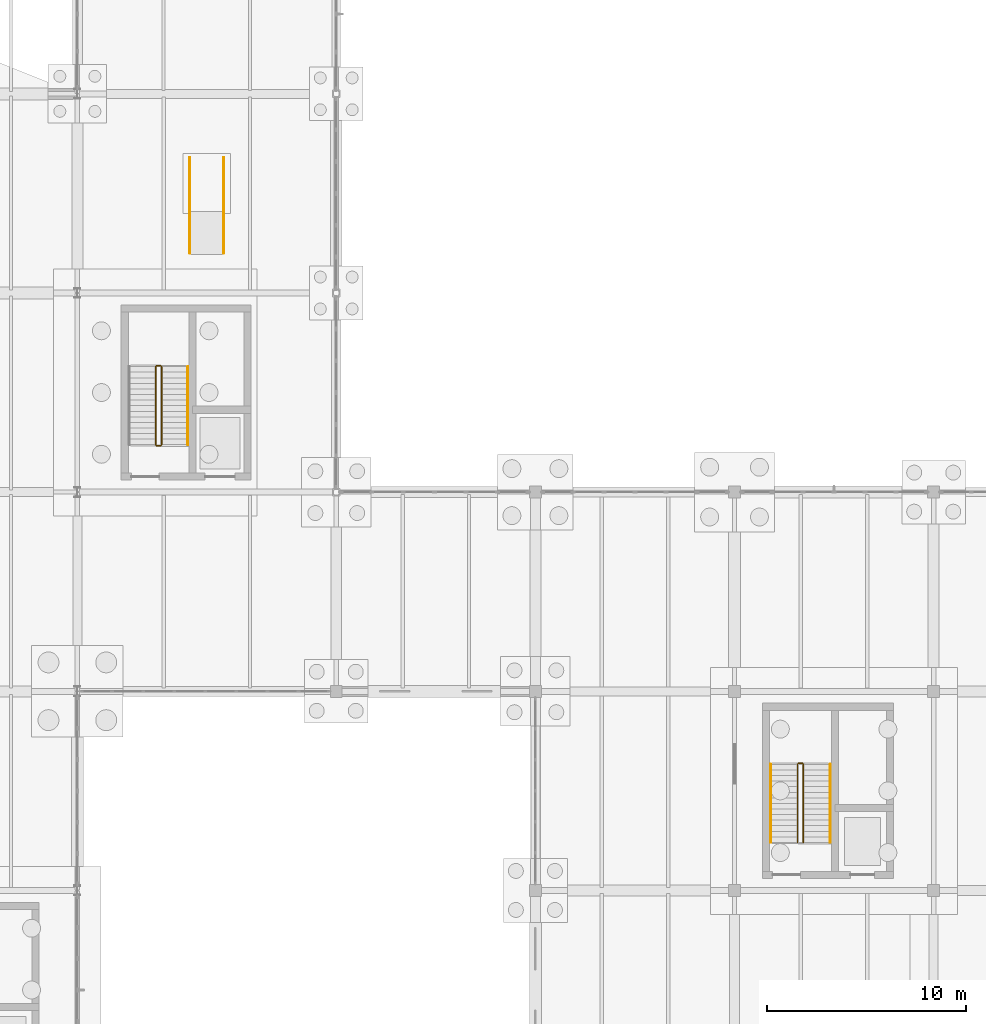
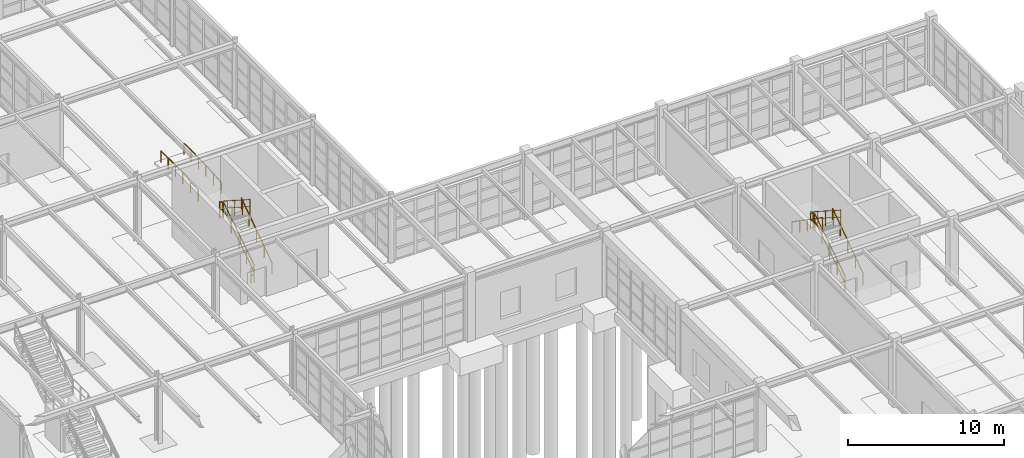
# One storey, part 142 of 145: 12 railings.
"""IFC4 building model written with IfcOpenShell, lengths in metres."""

from ifc_helpers import new_model, si_unit, direction, frame, origin, origin_2d, place, context, subcontext, project, spatial, circle, extrude, material, type_object, element, save


model = new_model("IFC4")

# Units and contexts
model_context = context("Model", 3, precision=1e-05, world=origin(), true_north=direction((0.0, 1.0)))
body_context = subcontext(model_context, "Body", "Model", "MODEL_VIEW")
ifc_project = project(units=[si_unit("LENGTHUNIT", "METRE"), si_unit("AREAUNIT", "SQUARE_METRE"), si_unit("VOLUMEUNIT", "CUBIC_METRE"), si_unit("PLANEANGLEUNIT", "RADIAN"), si_unit("MASSUNIT", "GRAM", prefix="KILO"), si_unit("THERMODYNAMICTEMPERATUREUNIT", "KELVIN"), si_unit("POWERUNIT", "WATT")], contexts=[model_context])

# Site, building, storey
site_placement = place(None, origin())
site = spatial("IfcSite", under=ifc_project, at=site_placement, CompositionType="ELEMENT")
building_placement = place(site_placement, origin())
building = spatial("IfcBuilding", under=site, at=building_placement, Name="Korenveer Ferry Terminal", CompositionType="ELEMENT")
storey_placement = place(building_placement, origin())
storey = spatial("IfcBuildingStorey", under=building, at=storey_placement, Name="L00", CompositionType="ELEMENT", Elevation=0.0)

# Railings
ifc_material_1 = material(Name="Brushed stainless steel handrail", Category="steel")
railing_type_1 = type_object("IfcRailingType", Name="INT-RL-HND90", PredefinedType="HANDRAIL", material=ifc_material_1)
railing_1_placement = place(storey_placement, frame((160.81005859375, 62.409912109375, 0.179931640625)))
element("IfcRailing", 1, at=railing_1_placement, inside=storey, type_object=railing_type_1, Name="L00 ST04 stair handrail 1", PredefinedType="HANDRAIL", context=body_context, shape_type="SweptSolid", body=[
    extrude(circle(Radius=0.02392578125, at=origin_2d()), frame((0.0, 0.0, 0.8759765625), z_axis=(0.0, 0.823567234665, 0.567218661528), x_axis=(-1.0, 0.0, 0.0)), (0.0, 0.0, 1.0), 4.760009765625),
    extrude(circle(Radius=0.02099609375, at=origin_2d()), origin(), (0.0, 0.0, 1.0), 0.851806640625),
    extrude(circle(Radius=0.02099609375, at=origin_2d()), frame((0.0, 0.97998046875, 0.675048828125)), (0.0, 0.0, 1.0), 0.851806640625),
    extrude(circle(Radius=0.02099609375, at=origin_2d()), frame((0.0, 1.9599609375, 1.35009765625)), (0.0, 0.0, 1.0), 0.851806640625),
    extrude(circle(Radius=0.02099609375, at=origin_2d()), frame((0.0, 2.940185546875, 2.02490234375)), (0.0, 0.0, 1.0), 0.851806640625),
    extrude(circle(Radius=0.02099609375, at=origin_2d()), frame((0.0, 3.920166015625, 2.699951171875)), (0.0, 0.0, 1.0), 0.851806640625),
])
railing_2_placement = place(storey_placement, frame((157.81005859375, 66.330078125, 2.8798828125)))
element("IfcRailing", 2, at=railing_2_placement, inside=storey, type_object=railing_type_1, Name="L00 ST04 stair handrail 2", PredefinedType="HANDRAIL", context=body_context, shape_type="SweptSolid", body=[
    extrude(circle(Radius=0.02392578125, at=origin_2d()), frame((0.0, 0.0, 0.8759765625), z_axis=(0.0, -0.82354327477, 0.567253448276), x_axis=(1.0, 0.0, 0.0)), (0.0, 0.0, 1.0), 4.760009765625),
    extrude(circle(Radius=0.02099609375, at=origin_2d()), origin(), (0.0, 0.0, 1.0), 0.851806640625),
    extrude(circle(Radius=0.02099609375, at=origin_2d()), frame((0.0, -0.97998046875, 0.675048828125)), (0.0, 0.0, 1.0), 0.851806640625),
    extrude(circle(Radius=0.02099609375, at=origin_2d()), frame((0.0, -1.9599609375, 1.35009765625)), (0.0, 0.0, 1.0), 0.851806640625),
    extrude(circle(Radius=0.02099609375, at=origin_2d()), frame((0.0, -2.940185546875, 2.025146484375)), (0.0, 0.0, 1.0), 0.851806640625),
    extrude(circle(Radius=0.02099609375, at=origin_2d()), frame((0.0, -3.920166015625, 2.7001953125)), (0.0, 0.0, 1.0), 0.851806640625),
])
railing_3_placement = place(storey_placement, frame((128.550048828125, 82.3798828125, 0.179931640625)))
element("IfcRailing", 3, at=railing_3_placement, inside=storey, type_object=railing_type_1, Name="L00 ST08 stair handrail 1", PredefinedType="HANDRAIL", context=body_context, shape_type="SweptSolid", body=[
    extrude(circle(Radius=0.02392578125, at=origin_2d()), frame((0.0, 0.0, 0.8759765625), z_axis=(0.0, 0.823567234665, 0.567218661528), x_axis=(-1.0, 0.0, 0.0)), (0.0, 0.0, 1.0), 4.760009765625),
    extrude(circle(Radius=0.02099609375, at=origin_2d()), origin(), (0.0, 0.0, 1.0), 0.851806640625),
    extrude(circle(Radius=0.02099609375, at=origin_2d()), frame((0.0, 0.97998046875, 0.675048828125)), (0.0, 0.0, 1.0), 0.851806640625),
    extrude(circle(Radius=0.02099609375, at=origin_2d()), frame((0.0, 1.9599609375, 1.35009765625)), (0.0, 0.0, 1.0), 0.851806640625),
    extrude(circle(Radius=0.02099609375, at=origin_2d()), frame((0.0, 2.940185546875, 2.02490234375)), (0.0, 0.0, 1.0), 0.851806640625),
    extrude(circle(Radius=0.02099609375, at=origin_2d()), frame((0.0, 3.920166015625, 2.699951171875)), (0.0, 0.0, 1.0), 0.851806640625),
])
ifc_material_2 = material(Name="Brushed stainless steel ramp handrail", Category="steel")
railing_type_2 = type_object("IfcRailingType", Name="INT-RL-RMPHND", PredefinedType="HANDRAIL", material=ifc_material_2)
for number, where, name in (
    (4, (128.64990234375, 92.0, 0.0), "East Mooring Threshold Ramp handrail W"),
    (5, (130.35009765625, 92.0, 0.0), "East Mooring Threshold Ramp handrail E"),
):
    element("IfcRailing", number, at=place(storey_placement, frame(where)), inside=storey, type_object=railing_type_2, Name=name, PredefinedType="HANDRAIL", context=body_context, shape_type="SweptSolid", body=[
        extrude(circle(Radius=0.02392578125, at=origin_2d()), frame((0.0, 0.0, 0.8759765625), z_axis=(0.0, 0.996818759741, 0.079701695267), x_axis=(-1.0, 0.0, 0.0)), (0.0, 0.0, 1.0), 2.00634765625),
        extrude(circle(Radius=0.02392578125, at=origin_2d()), frame((0.0, 2.0, 1.03564453125), z_axis=(0.0, 1.0, 0.0), x_axis=(-1.0, 0.0, 0.0)), (0.0, 0.0, 1.0), 2.800048828125),
        extrude(circle(Radius=0.02099609375, at=origin_2d()), origin(), (0.0, 0.0, 1.0), 0.851806640625),
        extrude(circle(Radius=0.02099609375, at=origin_2d()), frame((0.0, 1.0, 0.080078125)), (0.0, 0.0, 1.0), 0.851806640625),
        extrude(circle(Radius=0.02099609375, at=origin_2d()), frame((0.0, 2.0, 0.159912109375)), (0.0, 0.0, 1.0), 0.851806640625),
        extrude(circle(Radius=0.02099609375, at=origin_2d()), frame((0.0, 2.933349609375, 0.159912109375)), (0.0, 0.0, 1.0), 0.851806640625),
        extrude(circle(Radius=0.02099609375, at=origin_2d()), frame((0.0, 3.86669921875, 0.159912109375)), (0.0, 0.0, 1.0), 0.851806640625),
        extrude(circle(Radius=0.02099609375, at=origin_2d()), frame((0.0, 4.800048828125, 0.159912109375)), (0.0, 0.0, 1.0), 0.851806640625),
    ])
ifc_material_3 = material(Name="Painted steel stair guard", Category="steel")
railing_type_3 = type_object("IfcRailingType", Name="INT-RL-STGRD", PredefinedType="GUARDRAIL", material=ifc_material_3)
railing_4_placement = place(storey_placement, frame((159.4599609375, 62.409912109375, 0.179931640625)))
element("IfcRailing", 6, at=railing_4_placement, inside=storey, type_object=railing_type_3, Name="L00 ST04 stair guard 1", PredefinedType="GUARDRAIL", context=body_context, shape_type="SweptSolid", body=[
    extrude(circle(Radius=0.02392578125, at=origin_2d()), frame((0.0, 0.0, 1.17578125), z_axis=(0.0, 0.841186985886, 0.540744352514), x_axis=(-1.0, 0.0, 0.0)), (0.0, 0.0, 1.0), 4.660400390625),
    extrude(circle(Radius=0.01806640625, at=origin_2d()), frame((0.0, 0.0, 0.6240234375), z_axis=(0.0, 0.841186985886, 0.540744352514), x_axis=(-1.0, 0.0, 0.0)), (0.0, 0.0, 1.0), 4.660400390625),
    extrude(circle(Radius=0.02099609375, at=origin_2d()), origin(), (0.0, 0.0, 1.0), 1.15185546875),
    extrude(circle(Radius=0.02099609375, at=origin_2d()), frame((0.0, 0.97998046875, 0.6298828125)), (0.0, 0.0, 1.0), 1.15185546875),
    extrude(circle(Radius=0.02099609375, at=origin_2d()), frame((0.0, 1.9599609375, 1.260009765625)), (0.0, 0.0, 1.0), 1.15185546875),
    extrude(circle(Radius=0.02099609375, at=origin_2d()), frame((0.0, 2.940185546875, 1.89013671875)), (0.0, 0.0, 1.0), 1.15185546875),
    extrude(circle(Radius=0.02099609375, at=origin_2d()), frame((0.0, 3.920166015625, 2.52001953125)), (0.0, 0.0, 1.0), 1.15185546875),
])
railing_5_placement = place(storey_placement, frame((159.409912109375, 66.3798828125, 2.699951171875)))
element("IfcRailing", 7, at=railing_5_placement, inside=storey, type_object=railing_type_3, Name="L00 ST04 stair guard 2", PredefinedType="GUARDRAIL", context=body_context, shape_type="SweptSolid", body=[
    extrude(circle(Radius=0.02392578125, at=origin_2d()), frame((0.0, 0.0, 1.17578125), z_axis=(-1.0, 0.0, 0.0), x_axis=(0.0, -1.0, 0.0)), (0.0, 0.0, 1.0), 0.199951171875),
    extrude(circle(Radius=0.01806640625, at=origin_2d()), frame((0.0, 0.0, 0.6240234375), z_axis=(-1.0, 0.0, 0.0), x_axis=(0.0, -1.0, 0.0)), (0.0, 0.0, 1.0), 0.199951171875),
    extrude(circle(Radius=0.02099609375, at=origin_2d()), origin(), (0.0, 0.0, 1.0), 1.15185546875),
    extrude(circle(Radius=0.02099609375, at=origin_2d()), frame((-0.199951171875, 0.0, 0.0)), (0.0, 0.0, 1.0), 1.15185546875),
])
railing_6_placement = place(storey_placement, frame((159.159912109375, 66.330078125, 2.8798828125)))
element("IfcRailing", 8, at=railing_6_placement, inside=storey, type_object=railing_type_3, Name="L00 ST04 stair guard 3", PredefinedType="GUARDRAIL", context=body_context, shape_type="SweptSolid", body=[
    extrude(circle(Radius=0.02392578125, at=origin_2d()), frame((0.0, 0.0, 1.17578125), z_axis=(0.0, -0.841186985886, 0.540744352514), x_axis=(1.0, 0.0, 0.0)), (0.0, 0.0, 1.0), 4.660400390625),
    extrude(circle(Radius=0.01806640625, at=origin_2d()), frame((0.0, 0.0, 0.6240234375), z_axis=(0.0, -0.841186985886, 0.540744352514), x_axis=(1.0, 0.0, 0.0)), (0.0, 0.0, 1.0), 4.660400390625),
    extrude(circle(Radius=0.02099609375, at=origin_2d()), origin(), (0.0, 0.0, 1.0), 1.15185546875),
    extrude(circle(Radius=0.02099609375, at=origin_2d()), frame((0.0, -0.97998046875, 0.6298828125)), (0.0, 0.0, 1.0), 1.15185546875),
    extrude(circle(Radius=0.02099609375, at=origin_2d()), frame((0.0, -1.9599609375, 1.260009765625)), (0.0, 0.0, 1.0), 1.15185546875),
    extrude(circle(Radius=0.02099609375, at=origin_2d()), frame((0.0, -2.940185546875, 1.89013671875)), (0.0, 0.0, 1.0), 1.15185546875),
    extrude(circle(Radius=0.02099609375, at=origin_2d()), frame((0.0, -3.920166015625, 2.52001953125)), (0.0, 0.0, 1.0), 1.15185546875),
])
railing_7_placement = place(storey_placement, frame((127.22998046875, 82.3798828125, 0.179931640625)))
element("IfcRailing", 9, at=railing_7_placement, inside=storey, type_object=railing_type_3, Name="L00 ST08 stair guard 1", PredefinedType="GUARDRAIL", context=body_context, shape_type="SweptSolid", body=[
    extrude(circle(Radius=0.02392578125, at=origin_2d()), frame((0.0, 0.0, 1.17578125), z_axis=(0.0, 0.841186985886, 0.540744352514), x_axis=(-1.0, 0.0, 0.0)), (0.0, 0.0, 1.0), 4.660400390625),
    extrude(circle(Radius=0.01806640625, at=origin_2d()), frame((0.0, 0.0, 0.6240234375), z_axis=(0.0, 0.841186985886, 0.540744352514), x_axis=(-1.0, 0.0, 0.0)), (0.0, 0.0, 1.0), 4.660400390625),
    extrude(circle(Radius=0.02099609375, at=origin_2d()), origin(), (0.0, 0.0, 1.0), 1.15185546875),
    extrude(circle(Radius=0.02099609375, at=origin_2d()), frame((0.0, 0.97998046875, 0.6298828125)), (0.0, 0.0, 1.0), 1.15185546875),
    extrude(circle(Radius=0.02099609375, at=origin_2d()), frame((0.0, 1.9599609375, 1.260009765625)), (0.0, 0.0, 1.0), 1.15185546875),
    extrude(circle(Radius=0.02099609375, at=origin_2d()), frame((0.0, 2.940185546875, 1.89013671875)), (0.0, 0.0, 1.0), 1.15185546875),
    extrude(circle(Radius=0.02099609375, at=origin_2d()), frame((0.0, 3.920166015625, 2.52001953125)), (0.0, 0.0, 1.0), 1.15185546875),
])
railing_8_placement = place(storey_placement, frame((127.179931640625, 86.35009765625, 2.699951171875)))
element("IfcRailing", 10, at=railing_8_placement, inside=storey, type_object=railing_type_3, Name="L00 ST08 stair guard 2", PredefinedType="GUARDRAIL", context=body_context, shape_type="SweptSolid", body=[
    extrude(circle(Radius=0.02392578125, at=origin_2d()), frame((0.0, 0.0, 1.17578125), z_axis=(-1.0, 0.0, 0.0), x_axis=(0.0, -1.0, 0.0)), (0.0, 0.0, 1.0), 0.199951171875),
    extrude(circle(Radius=0.01806640625, at=origin_2d()), frame((0.0, 0.0, 0.6240234375), z_axis=(-1.0, 0.0, 0.0), x_axis=(0.0, -1.0, 0.0)), (0.0, 0.0, 1.0), 0.199951171875),
    extrude(circle(Radius=0.02099609375, at=origin_2d()), origin(), (0.0, 0.0, 1.0), 1.15185546875),
    extrude(circle(Radius=0.02099609375, at=origin_2d()), frame((-0.199951171875, 0.0, 0.0)), (0.0, 0.0, 1.0), 1.15185546875),
])
railing_9_placement = place(storey_placement, frame((126.929931640625, 86.300048828125, 2.8798828125)))
element("IfcRailing", 11, at=railing_9_placement, inside=storey, type_object=railing_type_3, Name="L00 ST08 stair guard 3", PredefinedType="GUARDRAIL", context=body_context, shape_type="SweptSolid", body=[
    extrude(circle(Radius=0.02392578125, at=origin_2d()), frame((0.0, 0.0, 1.17578125), z_axis=(0.0, -0.841186985886, 0.540744352514), x_axis=(1.0, 0.0, 0.0)), (0.0, 0.0, 1.0), 4.660400390625),
    extrude(circle(Radius=0.01806640625, at=origin_2d()), frame((0.0, 0.0, 0.6240234375), z_axis=(0.0, -0.841186985886, 0.540744352514), x_axis=(1.0, 0.0, 0.0)), (0.0, 0.0, 1.0), 4.660400390625),
    extrude(circle(Radius=0.02099609375, at=origin_2d()), origin(), (0.0, 0.0, 1.0), 1.15185546875),
    extrude(circle(Radius=0.02099609375, at=origin_2d()), frame((0.0, -0.97998046875, 0.6298828125)), (0.0, 0.0, 1.0), 1.15185546875),
    extrude(circle(Radius=0.02099609375, at=origin_2d()), frame((0.0, -1.9599609375, 1.260009765625)), (0.0, 0.0, 1.0), 1.15185546875),
    extrude(circle(Radius=0.02099609375, at=origin_2d()), frame((0.0, -2.940185546875, 1.89013671875)), (0.0, 0.0, 1.0), 1.15185546875),
    extrude(circle(Radius=0.02099609375, at=origin_2d()), frame((0.0, -3.920166015625, 2.52001953125)), (0.0, 0.0, 1.0), 1.15185546875),
])
railing_10_placement = place(storey_placement, frame((127.179931640625, 82.330078125, 0.0)))
element("IfcRailing", 12, at=railing_10_placement, inside=storey, type_object=railing_type_3, Name="L00 ST08 stair guard 4", PredefinedType="GUARDRAIL", context=body_context, shape_type="SweptSolid", body=[
    extrude(circle(Radius=0.02392578125, at=origin_2d()), frame((0.0, 0.0, 1.17578125), z_axis=(-1.0, 0.0, 0.0), x_axis=(0.0, -1.0, 0.0)), (0.0, 0.0, 1.0), 0.199951171875),
    extrude(circle(Radius=0.01806640625, at=origin_2d()), frame((0.0, 0.0, 0.6240234375), z_axis=(-1.0, 0.0, 0.0), x_axis=(0.0, -1.0, 0.0)), (0.0, 0.0, 1.0), 0.199951171875),
    extrude(circle(Radius=0.02099609375, at=origin_2d()), origin(), (0.0, 0.0, 1.0), 1.15185546875),
    extrude(circle(Radius=0.02099609375, at=origin_2d()), frame((-0.199951171875, 0.0, 0.0)), (0.0, 0.0, 1.0), 1.15185546875),
])

save(model, "model.ifc")
